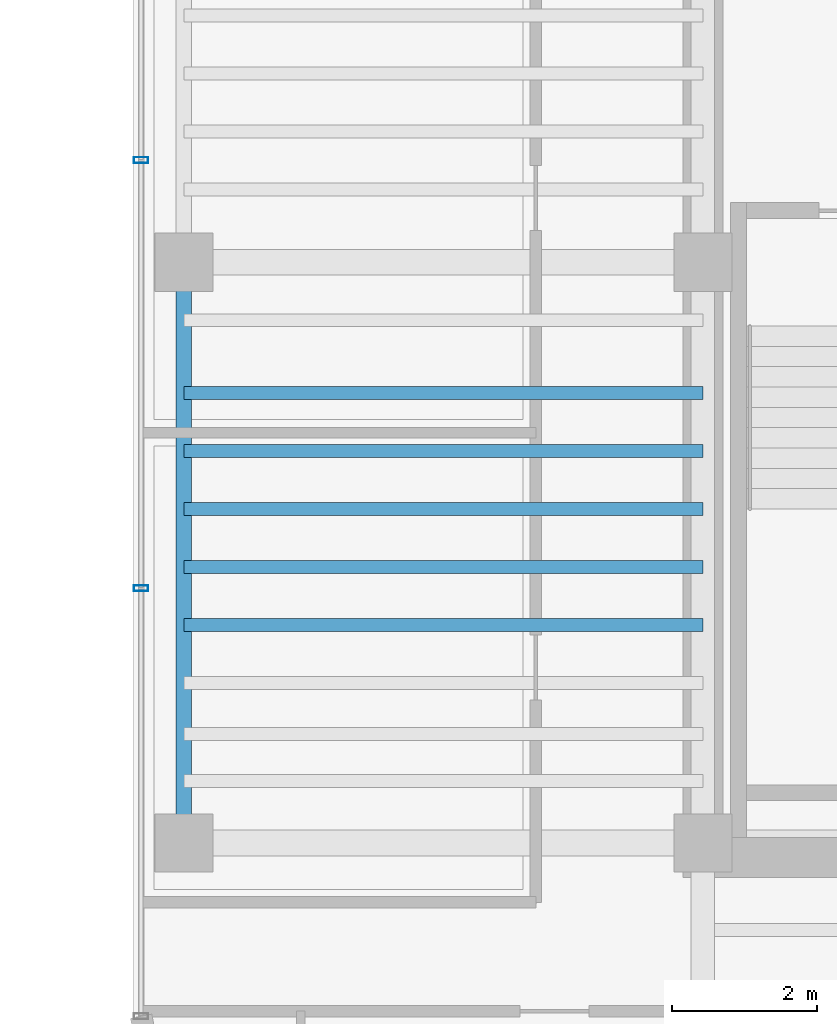
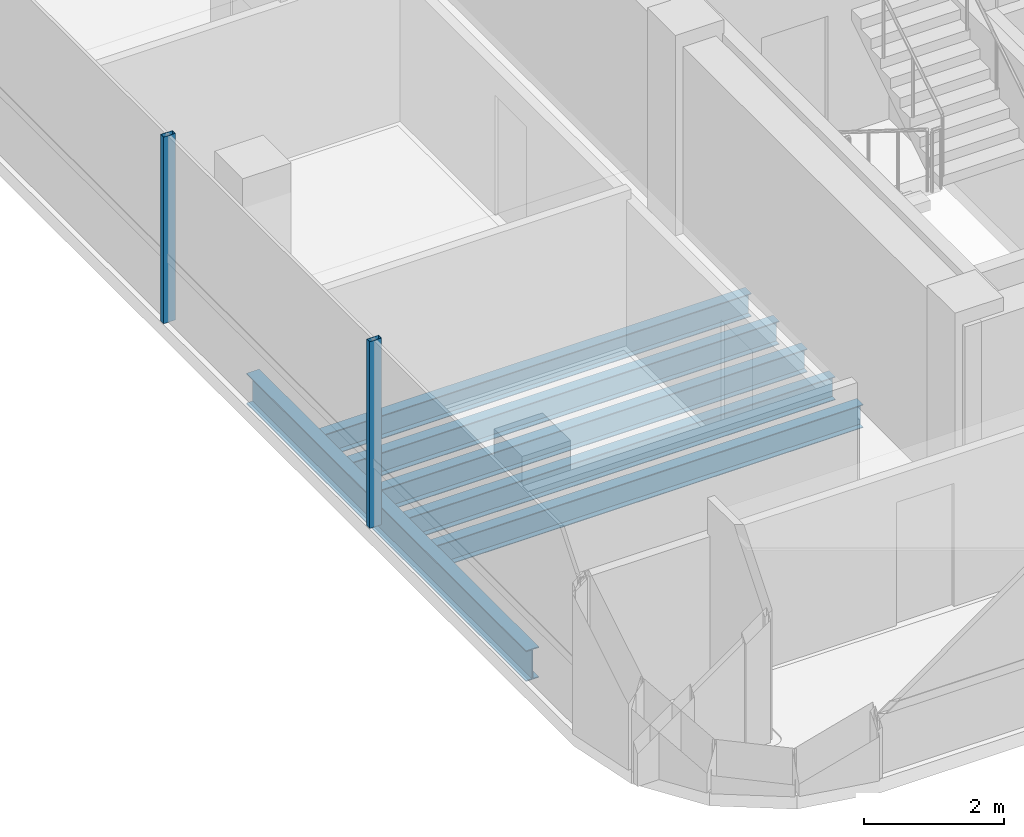
# One storey, part 4 of 21: 6 beams, 2 members, 1 element without a shape of its own.
"""IFC4 building model written with IfcOpenShell, lengths in metres."""

from ifc_helpers import new_model, si_unit, direction, frame, origin, origin_2d, place, context, subcontext, project, spatial, hollow_rectangle, i_section, extrude, source, transform, mapped, material, material_profile, profile_set, type_object, element, aggregate, save


model = new_model("IFC4")

# Units and contexts
model_context = context("Model", 3, precision=1e-05, world=origin(), true_north=direction((0.0, 1.0)))
body_context = subcontext(model_context, "Body", "Model", "MODEL_VIEW")
ifc_project = project(units=[si_unit("LENGTHUNIT", "METRE"), si_unit("AREAUNIT", "SQUARE_METRE"), si_unit("VOLUMEUNIT", "CUBIC_METRE"), si_unit("PLANEANGLEUNIT", "RADIAN"), si_unit("MASSUNIT", "GRAM", prefix="KILO")], contexts=[model_context])

# Site, building, storey
site_placement = place(None, origin())
site = spatial("IfcSite", under=ifc_project, at=site_placement, CompositionType="ELEMENT")
building_placement = place(site_placement, origin())
building = spatial("IfcBuilding", under=site, at=building_placement, Name="Valdorenza Pilgrim Sanctuary Tower", CompositionType="ELEMENT")
storey_placement = place(building_placement, frame((0.0, 0.0, 254.5)))
storey = spatial("IfcBuildingStorey", under=building, at=storey_placement, Name="L66", CompositionType="ELEMENT", Elevation=254.5)

# Beams
ifc_material_1 = material(Name="Steel ASTM A992 Grade 50", Category="steel")
ifc_material_profile_1 = material_profile(ifc_material_1, i_section(OverallWidth=0.2109375, OverallDepth=0.5390625, WebThickness=0.01171875, FlangeThickness=0.018798828125, at=origin_2d()), Name="W21X73")
ifc_profile_set_1 = profile_set([ifc_material_profile_1], Name="Steel ASTM A992 Grade 50")
beam_type_1 = type_object("IfcBeamType", Name="STR-BM-SPN-W21B", PredefinedType="SPANDREL", material=ifc_profile_set_1)
shared_shape_1 = source(origin(), body_context, "Body", "SweptSolid", [
    extrude(i_section(OverallWidth=0.2109375, OverallDepth=0.5390625, WebThickness=0.01171875, FlangeThickness=0.018798828125, at=origin_2d()), origin(), (0.0, 0.0, 1.0), 8.0),
])
beam_placement = place(storey_placement, frame((-29.800048828125, -10.60009765625, -0.509521484375), z_axis=(0.0, 1.0, 0.0), x_axis=(-1.0, 0.0, 0.0)))
element("IfcBeam", 1, at=beam_placement, inside=storey, type_object=beam_type_1, Name="L66 Spandrel Beam WA-W-S1M0", PredefinedType="SPANDREL", context=body_context, shape_type="MappedRepresentation", body=[
    mapped(shared_shape_1, transform((0.0, 0.0, 0.0), x_axis=(1.0, 0.0, 0.0), y_axis=(0.0, 1.0, 0.0), z_axis=(0.0, 0.0, 1.0), scale=1.0)),
])
ifc_material_profile_2 = material_profile(ifc_material_1, i_section(OverallWidth=0.177978515625, OverallDepth=0.406005859375, WebThickness=0.0078125, FlangeThickness=0.0126953125, at=origin_2d()), Name="W16X40")
ifc_profile_set_2 = profile_set([ifc_material_profile_2], Name="Steel ASTM A992 Grade 50")
beam_type_2 = type_object("IfcBeamType", Name="STR-BM-JST-W16", PredefinedType="JOIST", material=ifc_profile_set_2)
shared_shape_2 = source(origin(), body_context, "Body", "SweptSolid", [
    extrude(i_section(OverallWidth=0.177978515625, OverallDepth=0.406005859375, WebThickness=0.0078125, FlangeThickness=0.0126953125, at=origin_2d()), origin(), (0.0, 0.0, 1.0), 7.150146484375),
])
for number, where, z_axis, x_axis, name in (
    (2, (-29.800048828125, -7.60009765625, -0.443115234375), (1.0, 0.0, 0.0), (0.0, 1.0, 0.0), "L66 Composite Floor Joist JST-WA-4"),
    (3, (-29.800048828125, -6.800048828125, -0.443115234375), (1.0, 0.0, 0.0), (0.0, 1.0, 0.0), "L66 Composite Floor Joist JST-WA-5"),
    (4, (-29.800048828125, -6.0, -0.443115234375), (1.0, 0.0, 0.0), (0.0, 1.0, 0.0), "L66 Composite Floor Joist JST-WA-6"),
    (5, (-29.800048828125, -5.199951171875, -0.443115234375), (1.0, 0.0, 0.0), (0.0, 1.0, 0.0), "L66 Composite Floor Joist JST-WA-7"),
    (6, (-29.800048828125, -4.39990234375, -0.443115234375), (1.0, 0.0, 0.0), (0.0, 1.0, 0.0), "L66 Composite Floor Joist JST-WA-8"),
):
    element("IfcBeam", number, at=place(storey_placement, frame(where, z_axis=z_axis, x_axis=x_axis)), inside=storey, type_object=beam_type_2, Name=name, PredefinedType="JOIST", context=body_context, shape_type="MappedRepresentation", body=[
        mapped(shared_shape_2, transform((0.0, 0.0, 0.0), x_axis=(1.0, 0.0, 0.0), y_axis=(0.0, 1.0, 0.0), z_axis=(0.0, 0.0, 1.0), scale=1.0)),
    ])

# Curtain wall, members
ifc_material_2 = material(Name="Curtain-wall IGU glazing", Category="glass")
curtain_wall_type = type_object("IfcCurtainWallType", Name="CW-SYS-02", PredefinedType="NOTDEFINED", material=ifc_material_2)
curtain_wall_placement = place(storey_placement, origin())
curtain_wall = element("IfcCurtainWall", 7, at=curtain_wall_placement, inside=storey, type_object=curtain_wall_type, Name="L66 Curtain Wall CW-L66-1-1S1", PredefinedType="NOTDEFINED")
ifc_material_3 = material(Name="Anodised aluminium AW-6060", Category="aluminium")
ifc_material_profile_3 = material_profile(ifc_material_3, hollow_rectangle(XDim=0.0849609375, YDim=0.199951171875, WallThickness=0.0048828125, at=origin_2d()), Name="ALU-M 200x85x5")
ifc_profile_set_3 = profile_set([ifc_material_profile_3], Name="Anodised aluminium AW-6060")
member_type = type_object("IfcMemberType", Name="CW-MUL-02", PredefinedType="MULLION", material=ifc_profile_set_3)
shared_shape_3 = source(origin(), body_context, "Body", "SweptSolid", [
    extrude(hollow_rectangle(XDim=0.0849609375, YDim=0.199951171875, WallThickness=0.0048828125, at=origin_2d()), origin(), (0.0, 0.0, 1.0), 3.260009765625),
])
member_1_placement = place(storey_placement, frame((-30.389892578125, -7.091796875, 0.0), z_axis=(0.0, 0.0, 1.0), x_axis=(0.0, 1.0, 0.0)))
member_1 = element("IfcMember", 8, at=member_1_placement, type_object=member_type, Name="CW-L66-1-1S1 Mullion 2", PredefinedType="MULLION", context=body_context, shape_type="MappedRepresentation", body=[
    mapped(shared_shape_3, transform((0.0, 0.0, 0.0), x_axis=(1.0, 0.0, 0.0), y_axis=(0.0, 1.0, 0.0), z_axis=(0.0, 0.0, 1.0), scale=1.0)),
])
member_2_placement = place(storey_placement, frame((-30.389892578125, -1.194580078125, 0.0), z_axis=(0.0, 0.0, 1.0), x_axis=(0.0, 1.0, 0.0)))
member_2 = element("IfcMember", 9, at=member_2_placement, type_object=member_type, Name="CW-L66-1-1S1 Mullion 3", PredefinedType="MULLION", context=body_context, shape_type="MappedRepresentation", body=[
    mapped(shared_shape_3, transform((0.0, 0.0, 0.0), x_axis=(1.0, 0.0, 0.0), y_axis=(0.0, 1.0, 0.0), z_axis=(0.0, 0.0, 1.0), scale=1.0)),
])
aggregate(curtain_wall, [member_1, member_2])

save(model, "model.ifc")
